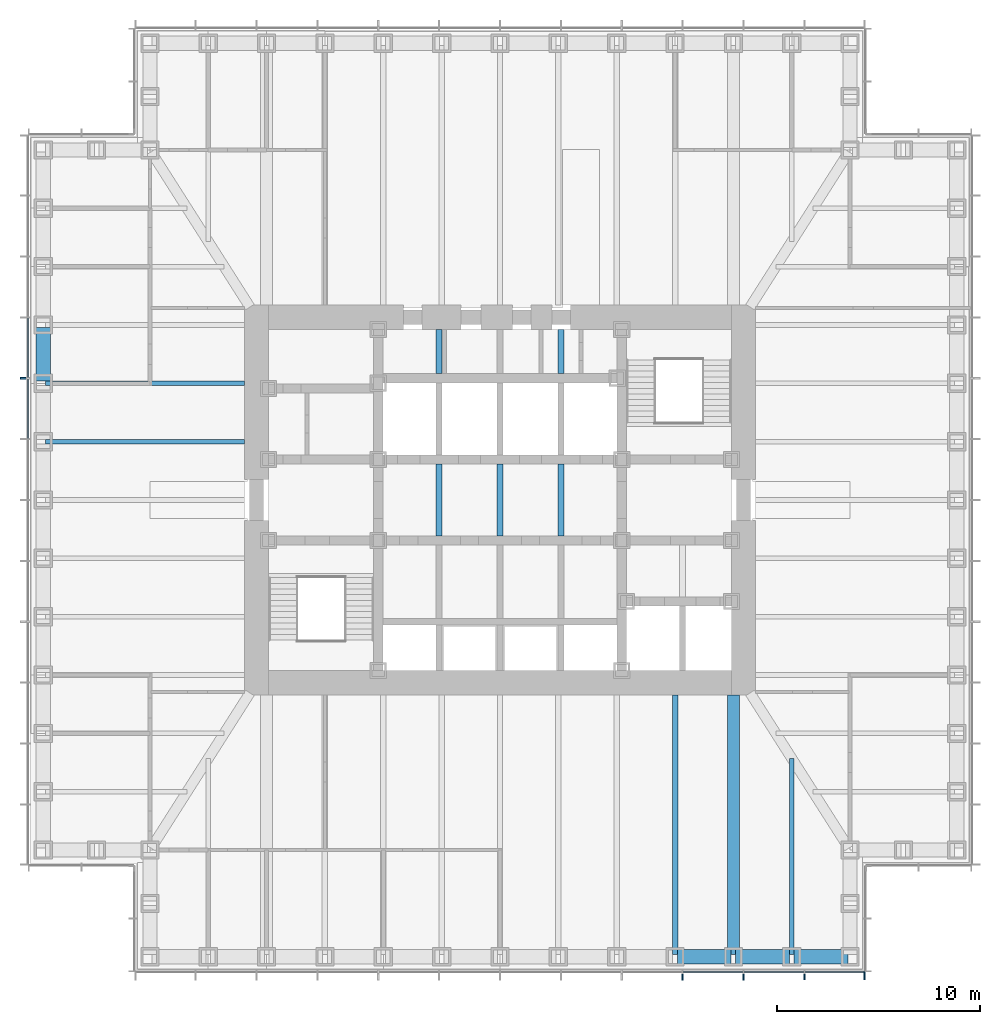
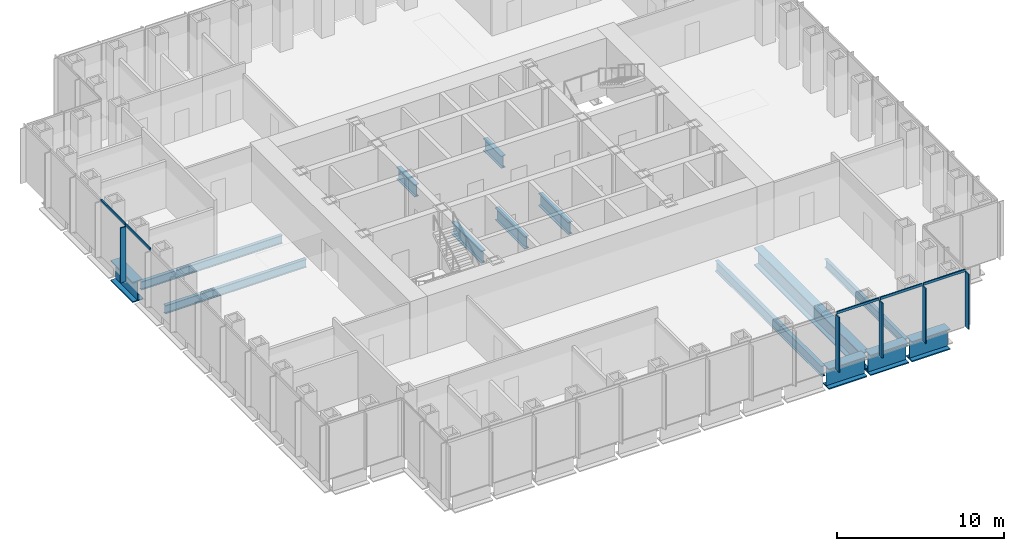
# One storey, part 3 of 17: 14 beams, 10 members, 2 elements without a shape of their own.
"""IFC4 building model written with IfcOpenShell, lengths in metres."""

import ifcopenshell
import ifcopenshell.guid

model = None  # the IFC model being written
_history = None  # IfcOwnerHistory: only IFC2X3 demands one
_inside = {}  # id of a spatial element -> (the spatial element, [elements in it])
_under = {}  # id of a project, library or spatial element -> (it, [spatial elements below it])
_declared = {}  # id of a project -> (the project, [libraries it declares])
_typed = {}  # id of a type object -> (the type object, [elements of that type])
_made_of = {}  # id of a material, layer set ... -> (it, [elements and type objects made of it])


def new_model(schema):
    """Start an empty IFC model of exactly this schema.

    Asked for "IFC4X3", IfcOpenShell would pick the latest addendum, in which some entities
    have other attributes; the version numbers below select the first issue.
    IFC2X3 requires an IfcOwnerHistory on every rooted entity: one is made here for all.
    """
    global model, _history
    if schema == "IFC4X3":
        model = ifcopenshell.file(schema_version=(4, 3, 0, 0))
    else:
        model = ifcopenshell.file(schema=schema)
    _inside.clear()
    _under.clear()
    _declared.clear()
    _typed.clear()
    _made_of.clear()
    _history = None
    if model.schema == "IFC2X3":
        org = make("IfcOrganization", Name="unknown")
        user = make(
            "IfcPersonAndOrganization",
            ThePerson=make("IfcPerson", FamilyName="unknown"),
            TheOrganization=org,
        )
        app = make(
            "IfcApplication",
            ApplicationDeveloper=org,
            Version="unknown",
            ApplicationFullName="unknown",
            ApplicationIdentifier="unknown",
        )
        _history = make(
            "IfcOwnerHistory",
            OwningUser=user,
            OwningApplication=app,
            ChangeAction="ADDED",
            CreationDate=0,
        )
    return model


def make(cls, **values):
    """One entity of the class cls with the attributes given. An attribute that is None is left unset."""
    return model.create_entity(
        cls, **{name: value for name, value in values.items() if value is not None}
    )


def rooted(cls, **values):
    """An entity with a GlobalId (a new one), such as an element, a storey or a relation."""
    return make(cls, GlobalId=ifcopenshell.guid.new(), OwnerHistory=_history, **values)


def si_unit(unit_type, name, prefix=None):
    """IfcSIUnit, for example si_unit("LENGTHUNIT", "METRE", prefix="MILLI")."""
    return make("IfcSIUnit", UnitType=unit_type, Prefix=prefix, Name=name)


def assignment(units):
    """IfcUnitAssignment: the units of a project."""
    return None if units is None else make("IfcUnitAssignment", Units=units)


def point(xyz):
    """IfcCartesianPoint."""
    return None if xyz is None else make("IfcCartesianPoint", Coordinates=xyz)


def direction(xyz):
    """IfcDirection."""
    return None if xyz is None else make("IfcDirection", DirectionRatios=xyz)


def frame(location, z_axis=None, x_axis=None):
    """IfcAxis2Placement3D, a coordinate frame: its origin and axes. An axis left out is left unset."""
    return make(
        "IfcAxis2Placement3D",
        Location=point(location),
        Axis=direction(z_axis),
        RefDirection=direction(x_axis),
    )


def frame_2d(location, x_axis=None):
    """IfcAxis2Placement2D, a coordinate frame in the plane: its origin and x axis."""
    return make(
        "IfcAxis2Placement2D", Location=point(location), RefDirection=direction(x_axis)
    )


def origin():
    """The frame at (0, 0, 0) with its axes left unset."""
    return frame((0.0, 0.0, 0.0))


def origin_2d():
    """The frame at (0, 0) in the plane with its x axis left unset."""
    return frame_2d((0.0, 0.0))


def place(relative_to, where):
    """IfcLocalPlacement: puts the frame where relative to a parent placement (None: the world)."""
    return make(
        "IfcLocalPlacement", PlacementRelTo=relative_to, RelativePlacement=where
    )


def context(
    kind, dimensions, precision=None, world=None, true_north=None, identifier=None
):
    """IfcGeometricRepresentationContext, for example the 3D "Model" context."""
    return make(
        "IfcGeometricRepresentationContext",
        ContextIdentifier=identifier,
        ContextType=kind,
        CoordinateSpaceDimension=dimensions,
        Precision=precision,
        WorldCoordinateSystem=world,
        TrueNorth=true_north,
    )


def subcontext(parent, identifier, kind, view, scale=None):
    """IfcGeometricRepresentationSubContext, for example "Body" below "Model"."""
    return make(
        "IfcGeometricRepresentationSubContext",
        ContextIdentifier=identifier,
        ContextType=kind,
        ParentContext=parent,
        TargetScale=scale,
        TargetView=view,
    )


def project(units=None, contexts=None):
    """IfcProject with its units and contexts."""
    return rooted(
        "IfcProject",
        Name="project",
        RepresentationContexts=contexts,
        UnitsInContext=assignment(units),
    )


def spatial(cls, under=None, at=None, **own):
    """A site, building, storey or space (cls), placed at a placement, below another one or the project."""
    s = rooted(cls, ObjectPlacement=at, **own)
    if under is not None:
        _under.setdefault(under.id(), (under, []))[1].append(s)
    return s


def profile(cls, at=None, kind="AREA", **sizes):
    """A parametric profile (cls). Its sizes go by their IFC names, for example OverallWidth=200.0."""
    return make(cls, ProfileType=kind, Position=at, **sizes)


def rectangle(**sizes):
    """IfcRectangleProfileDef."""
    return profile("IfcRectangleProfileDef", **sizes)


def i_section(**sizes):
    """IfcIShapeProfileDef."""
    return profile("IfcIShapeProfileDef", **sizes)


def extrude(swept, where, along, depth):
    """IfcExtrudedAreaSolid: the profile swept, set in the frame where, extruded along a direction by depth."""
    return make(
        "IfcExtrudedAreaSolid",
        SweptArea=swept,
        Position=where,
        ExtrudedDirection=direction(along),
        Depth=depth,
    )


def shape(context_of_items, identifier, shape_type, items):
    """IfcShapeRepresentation: the items that make up one representation, for example the "Body"."""
    return make(
        "IfcShapeRepresentation",
        ContextOfItems=context_of_items,
        RepresentationIdentifier=identifier,
        RepresentationType=shape_type,
        Items=items,
    )


def material(Name=None, Category=None):
    """IfcMaterial."""
    return make("IfcMaterial", Name=Name, Category=Category)


def material_profile(
    of_material, cross_section, Name=None, Category=None, Priority=None
):
    """IfcMaterialProfile: a cross section and its material."""
    return make(
        "IfcMaterialProfile",
        Name=Name,
        Material=of_material,
        Profile=cross_section,
        Priority=Priority,
        Category=Category,
    )


def profile_set(profiles, Name=None, composite=None):
    """IfcMaterialProfileSet."""
    return make(
        "IfcMaterialProfileSet",
        Name=Name,
        MaterialProfiles=profiles,
        CompositeProfile=composite,
    )


def made_of(thing, what):
    """Note that an element or type object is made of a material, layer set ...; save() writes the relation."""
    if what is not None:
        _made_of.setdefault(what.id(), (what, []))[1].append(thing)
    return thing


def type_object(cls, material=None, **own):
    """A type object (cls), such as IfcWallType, which elements share."""
    return made_of(rooted(cls, **own), material)


def element(
    cls,
    number,
    at=None,
    inside=None,
    cuts=None,
    type_object=None,
    material=None,
    context=None,
    identifier="Body",
    shape_type=None,
    held_by="IfcProductDefinitionShape",
    body=None,
    shapes=None,
    **own,
):
    """One element of the class cls, such as IfcWall. Its Tag is "e" and its number.

    at: its placement. inside: the storey or other place that contains it. cuts: it is an
    opening in that element (IfcRelVoidsElement). A single representation is given by context,
    identifier, shape_type and body (its items); several are given by shapes. held_by: the class
    of the entity that holds the representations. save() writes the other relations.
    """
    e = rooted(cls, Tag="e%d" % number, ObjectPlacement=at, **own)
    if body is not None:
        shapes = [shape(context, identifier, shape_type, body)]
    if shapes is not None:
        e.Representation = make(held_by, Representations=shapes)
    if inside is not None:
        _inside.setdefault(inside.id(), (inside, []))[1].append(e)
    if cuts is not None:
        rooted(
            "IfcRelVoidsElement", RelatingBuildingElement=cuts, RelatedOpeningElement=e
        )
    if type_object is not None:
        _typed.setdefault(type_object.id(), (type_object, []))[1].append(e)
    return made_of(e, material)


def aggregate(whole, parts):
    """IfcRelAggregates: a whole, such as a stair, and the parts it consists of."""
    return rooted("IfcRelAggregates", RelatingObject=whole, RelatedObjects=parts)


def save(model, path):
    """Write the relations noted so far, then the file.

    IfcRelAggregates (storeys below a building ...), IfcRelContainedInSpatialStructure (elements
    in a storey), IfcRelDefinesByType, IfcRelAssociatesMaterial and IfcRelDeclares: one each for
    every whole, place, type object, material and project.
    """
    for whole, parts in _under.values():
        aggregate(whole, parts)
    for where, things in _inside.values():
        rooted(
            "IfcRelContainedInSpatialStructure",
            RelatedElements=things,
            RelatingStructure=where,
        )
    for kind, things in _typed.values():
        rooted("IfcRelDefinesByType", RelatedObjects=things, RelatingType=kind)
    for what, things in _made_of.values():
        rooted("IfcRelAssociatesMaterial", RelatedObjects=things, RelatingMaterial=what)
    for by, libraries in _declared.values():
        rooted("IfcRelDeclares", RelatingContext=by, RelatedDefinitions=libraries)
    model.write(path)


model = new_model("IFC4")

# Units and contexts
model_context = context("Model", 3, precision=1e-05, world=origin(), true_north=direction((0.0, 1.0)))
body_context = subcontext(model_context, "Body", "Model", "MODEL_VIEW")
ifc_project = project(units=[si_unit("LENGTHUNIT", "METRE"), si_unit("AREAUNIT", "SQUARE_METRE"), si_unit("VOLUMEUNIT", "CUBIC_METRE"), si_unit("PLANEANGLEUNIT", "RADIAN"), si_unit("MASSUNIT", "GRAM", prefix="KILO")], contexts=[model_context])

# Site, building, storey
site_placement = place(None, origin())
site = spatial("IfcSite", under=ifc_project, at=site_placement, CompositionType="ELEMENT")
building_placement = place(site_placement, origin())
building = spatial("IfcBuilding", under=site, at=building_placement, Name="Daluyong Arena Tower", CompositionType="ELEMENT")
storey_placement = place(building_placement, frame((0.0, 0.0, 158.5)))
storey = spatial("IfcBuildingStorey", under=building, at=storey_placement, Name="L35", CompositionType="ELEMENT", Elevation=158.5)

# Curtain wall, members
ifc_material_1 = material(Name="Bronze anodised aluminium and glass", Category="aluminium")
curtain_wall_type = type_object("IfcCurtainWallType", Name="Curtain wall CW2", PredefinedType="USERDEFINED", material=ifc_material_1)
curtain_wall_1_placement = place(storey_placement, origin())
curtain_wall_1 = element("IfcCurtainWall", 1, at=curtain_wall_1_placement, inside=storey, type_object=curtain_wall_type, Name="curtain wall L35 S", ObjectType="UNITISED CURTAIN WALL", PredefinedType="USERDEFINED")
ifc_material_2 = material(Name="Bronze anodised aluminium fin", Category="aluminium")
ifc_material_profile_1 = material_profile(ifc_material_2, rectangle(XDim=0.39990234375, YDim=0.080078125, at=origin_2d()))
ifc_profile_set_1 = profile_set([ifc_material_profile_1], Name="Bronze anodised aluminium fin")
member_type_1 = type_object("IfcMemberType", Name="CW2 bronze fin 400x80", PredefinedType="MULLION", material=ifc_profile_set_1)
member_1_placement = place(storey_placement, frame((65.0, 56.550048828125, 0.0), z_axis=(0.0, 0.0, 1.0), x_axis=(0.0, 1.0, 0.0)))
member_1 = element("IfcMember", 2, at=member_1_placement, type_object=member_type_1, Name="curtain wall L35 S fin 10", PredefinedType="MULLION", context=body_context, shape_type="SweptSolid", body=[
    extrude(rectangle(XDim=0.39990234375, YDim=0.080078125, at=origin_2d()), origin(), (0.0, 0.0, 1.0), 4.02001953125),
])
member_2_placement = place(storey_placement, frame((68.0, 56.550048828125, 0.0), z_axis=(0.0, 0.0, 1.0), x_axis=(0.0, 1.0, 0.0)))
member_2 = element("IfcMember", 3, at=member_2_placement, type_object=member_type_1, Name="curtain wall L35 S fin 11", PredefinedType="MULLION", context=body_context, shape_type="SweptSolid", body=[
    extrude(rectangle(XDim=0.39990234375, YDim=0.080078125, at=origin_2d()), origin(), (0.0, 0.0, 1.0), 4.02001953125),
])
member_3_placement = place(storey_placement, frame((71.0, 56.550048828125, 0.0), z_axis=(0.0, 0.0, 1.0), x_axis=(0.0, 1.0, 0.0)))
member_3 = element("IfcMember", 4, at=member_3_placement, type_object=member_type_1, Name="curtain wall L35 S fin 12", PredefinedType="MULLION", context=body_context, shape_type="SweptSolid", body=[
    extrude(rectangle(XDim=0.39990234375, YDim=0.080078125, at=origin_2d()), origin(), (0.0, 0.0, 1.0), 4.02001953125),
])
member_4_placement = place(storey_placement, frame((73.9599609375, 56.550048828125, 0.0), z_axis=(0.0, 0.0, 1.0), x_axis=(0.0, 1.0, 0.0)))
member_4 = element("IfcMember", 5, at=member_4_placement, type_object=member_type_1, Name="curtain wall L35 S fin 13", PredefinedType="MULLION", context=body_context, shape_type="SweptSolid", body=[
    extrude(rectangle(XDim=0.39990234375, YDim=0.080078125, at=origin_2d()), origin(), (0.0, 0.0, 1.0), 4.02001953125),
])

# Curtain wall, member
curtain_wall_2_placement = place(storey_placement, origin())
curtain_wall_2 = element("IfcCurtainWall", 6, at=curtain_wall_2_placement, inside=storey, type_object=curtain_wall_type, Name="curtain wall L35 W", ObjectType="UNITISED CURTAIN WALL", PredefinedType="USERDEFINED")
member_5_placement = place(storey_placement, frame((32.550048828125, 86.0, 0.0), z_axis=(0.0, 0.0, 1.0), x_axis=(1.0, 0.0, 0.0)))
member_5 = element("IfcMember", 7, at=member_5_placement, type_object=member_type_1, Name="curtain wall L35 W fin 5", PredefinedType="MULLION", context=body_context, shape_type="SweptSolid", body=[
    extrude(rectangle(XDim=0.39990234375, YDim=0.080078125, at=origin_2d()), origin(), (0.0, 0.0, 1.0), 4.02001953125),
])

# Member
ifc_material_3 = material(Name="Bronze anodised aluminium", Category="aluminium")
ifc_material_profile_2 = material_profile(ifc_material_3, rectangle(XDim=0.080078125, YDim=0.179931640625, at=origin_2d()))
ifc_profile_set_2 = profile_set([ifc_material_profile_2], Name="Bronze anodised aluminium")
member_type_2 = type_object("IfcMemberType", Name="CW2 stack transom 180x80", PredefinedType="USERDEFINED", material=ifc_profile_set_2)
member_6_placement = place(storey_placement, frame((65.0400390625, 56.75, 4.110107421875), z_axis=(1.0, 0.0, 0.0), x_axis=(0.0, 1.0, 0.0)))
member_6 = element("IfcMember", 8, at=member_6_placement, type_object=member_type_2, Name="curtain wall L35 S transom 10", ObjectType="TRANSOM", PredefinedType="USERDEFINED", context=body_context, shape_type="SweptSolid", body=[
    extrude(rectangle(XDim=0.080078125, YDim=0.179931640625, at=origin_2d()), origin(), (0.0, 0.0, 1.0), 2.919921875),
])

member_7_placement = place(storey_placement, frame((68.0400390625, 56.75, 4.110107421875), z_axis=(1.0, 0.0, 0.0), x_axis=(0.0, 1.0, 0.0)))
member_7 = element("IfcMember", 9, at=member_7_placement, type_object=member_type_2, Name="curtain wall L35 S transom 11", ObjectType="TRANSOM", PredefinedType="USERDEFINED", context=body_context, shape_type="SweptSolid", body=[
    extrude(rectangle(XDim=0.080078125, YDim=0.179931640625, at=origin_2d()), origin(), (0.0, 0.0, 1.0), 2.919921875),
])

member_8_placement = place(storey_placement, frame((71.0400390625, 56.75, 4.110107421875), z_axis=(1.0, 0.0, 0.0), x_axis=(0.0, 1.0, 0.0)))
member_8 = element("IfcMember", 10, at=member_8_placement, type_object=member_type_2, Name="curtain wall L35 S transom 12", ObjectType="TRANSOM", PredefinedType="USERDEFINED", context=body_context, shape_type="SweptSolid", body=[
    extrude(rectangle(XDim=0.080078125, YDim=0.179931640625, at=origin_2d()), origin(), (0.0, 0.0, 1.0), 2.8798828125),
])

aggregate(curtain_wall_1, [member_1, member_2, member_3, member_4, member_6, member_7, member_8])

member_9_placement = place(storey_placement, frame((32.75, 88.9599609375, 4.110107421875), z_axis=(0.0, -1.0, 0.0), x_axis=(1.0, 0.0, 0.0)))
member_9 = element("IfcMember", 11, at=member_9_placement, type_object=member_type_2, Name="curtain wall L35 W transom 4", ObjectType="TRANSOM", PredefinedType="USERDEFINED", context=body_context, shape_type="SweptSolid", body=[
    extrude(rectangle(XDim=0.080078125, YDim=0.179931640625, at=origin_2d()), origin(), (0.0, 0.0, 1.0), 2.919921875),
])

member_10_placement = place(storey_placement, frame((32.75, 85.9599609375, 4.110107421875), z_axis=(0.0, -1.0, 0.0), x_axis=(1.0, 0.0, 0.0)))
member_10 = element("IfcMember", 12, at=member_10_placement, type_object=member_type_2, Name="curtain wall L35 W transom 5", ObjectType="TRANSOM", PredefinedType="USERDEFINED", context=body_context, shape_type="SweptSolid", body=[
    extrude(rectangle(XDim=0.080078125, YDim=0.179931640625, at=origin_2d()), origin(), (0.0, 0.0, 1.0), 2.919921875),
])

aggregate(curtain_wall_2, [member_5, member_9, member_10])

# Beams
ifc_material_4 = material(Name="Steel ASTM A572 Grade 50", Category="steel")
ifc_material_profile_3 = material_profile(ifc_material_4, i_section(OverallWidth=0.60009765625, OverallDepth=1.300048828125, WebThickness=0.035, FlangeThickness=0.07, at=origin_2d()))
ifc_profile_set_3 = profile_set([ifc_material_profile_3], Name="Steel ASTM A572 Grade 50")
beam_type_1 = type_object("IfcBeamType", Name="Floor beam TB1300X600", PredefinedType="BEAM", material=ifc_profile_set_3)
beam_1_placement = place(storey_placement, frame((67.5, 57.614990234375, -0.81005859375), z_axis=(0.0, 1.0, 0.0), x_axis=(-1.0, 0.0, 0.0)))
element("IfcBeam", 13, at=beam_1_placement, inside=storey, type_object=beam_type_1, Name="floor beam FB7", PredefinedType="BEAM", context=body_context, shape_type="SweptSolid", body=[
    extrude(i_section(OverallWidth=0.60009765625, OverallDepth=1.300048828125, WebThickness=0.035, FlangeThickness=0.07, at=origin_2d()), origin(), (0.0, 0.0, 1.0), 12.784912109375),
])
ifc_material_5 = material(Name="Steel ASTM A992 Grade 50", Category="steel")
ifc_material_profile_4 = material_profile(ifc_material_5, i_section(OverallWidth=0.22900390625, OverallDepth=0.612060546875, WebThickness=0.011962890625, FlangeThickness=0.01953125, at=origin_2d()))
ifc_profile_set_4 = profile_set([ifc_material_profile_4], Name="Steel ASTM A992 Grade 50")
beam_type_2 = type_object("IfcBeamType", Name="Floor beam W24X84", PredefinedType="BEAM", material=ifc_profile_set_4)
beam_2_placement = place(storey_placement, frame((70.375, 57.614990234375, -0.466064453125), z_axis=(0.0, 1.0, 0.0), x_axis=(-1.0, 0.0, 0.0)))
element("IfcBeam", 14, at=beam_2_placement, inside=storey, type_object=beam_type_2, Name="floor beam FB3", PredefinedType="BEAM", context=body_context, shape_type="SweptSolid", body=[
    extrude(i_section(OverallWidth=0.22900390625, OverallDepth=0.612060546875, WebThickness=0.011962890625, FlangeThickness=0.01953125, at=origin_2d()), origin(), (0.0, 0.0, 1.0), 9.65283203125),
])
for number, where, z_axis, x_axis, name in (
    (15, (33.614990234375, 85.75, -0.466064453125), (1.0, 0.0, 0.0), (0.0, 1.0, 0.0), "floor beam FB3"),
    (16, (33.614990234375, 82.875, -0.466064453125), (1.0, 0.0, 0.0), (0.0, 1.0, 0.0), "floor beam FB3"),
):
    element("IfcBeam", number, at=place(storey_placement, frame(where, z_axis=z_axis, x_axis=x_axis)), inside=storey, type_object=beam_type_2, Name=name, PredefinedType="BEAM", context=body_context, shape_type="SweptSolid", body=[
        extrude(i_section(OverallWidth=0.22900390625, OverallDepth=0.612060546875, WebThickness=0.011962890625, FlangeThickness=0.01953125, at=origin_2d()), origin(), (0.0, 0.0, 1.0), 9.784912109375),
    ])
ifc_material_6 = material(Name="Steel ASTM A992 Grade 50", Category="steel")
ifc_material_profile_5 = material_profile(ifc_material_6, i_section(OverallWidth=0.2666015625, OverallDepth=0.761962890625, WebThickness=0.014404296875, FlangeThickness=0.021484375, at=origin_2d()))
ifc_profile_set_5 = profile_set([ifc_material_profile_5], Name="Steel ASTM A992 Grade 50")
beam_type_3 = type_object("IfcBeamType", Name="Floor beam W30X116", PredefinedType="BEAM", material=ifc_profile_set_5)
beam_3_placement = place(storey_placement, frame((64.625, 57.614990234375, -0.541015625), z_axis=(0.0, 1.0, 0.0), x_axis=(-1.0, 0.0, 0.0)))
element("IfcBeam", 17, at=beam_3_placement, inside=storey, type_object=beam_type_3, Name="floor beam FB4", PredefinedType="BEAM", context=body_context, shape_type="SweptSolid", body=[
    extrude(i_section(OverallWidth=0.2666015625, OverallDepth=0.761962890625, WebThickness=0.014404296875, FlangeThickness=0.021484375, at=origin_2d()), origin(), (0.0, 0.0, 1.0), 12.784912109375),
])
ifc_material_7 = material(Name="Steel ASTM A572 Grade 50", Category="steel")
ifc_material_profile_6 = material_profile(ifc_material_7, i_section(OverallWidth=0.300048828125, OverallDepth=0.89990234375, WebThickness=0.025, FlangeThickness=0.04, at=origin_2d()))
ifc_profile_set_6 = profile_set([ifc_material_profile_6], Name="Steel ASTM A572 Grade 50")
beam_type_4 = type_object("IfcBeamType", Name="Lift divider beam PG900X300", PredefinedType="BEAM", material=ifc_profile_set_6)
beam_4_placement = place(storey_placement, frame((53.0, 78.22509765625, -0.610107421875), z_axis=(0.0, 1.0, 0.0), x_axis=(-1.0, 0.0, 0.0)))
element("IfcBeam", 18, at=beam_4_placement, inside=storey, type_object=beam_type_4, Name="lift divider beam DB1", PredefinedType="BEAM", context=body_context, shape_type="SweptSolid", body=[
    extrude(i_section(OverallWidth=0.300048828125, OverallDepth=0.89990234375, WebThickness=0.025, FlangeThickness=0.04, at=origin_2d()), origin(), (0.0, 0.0, 1.0), 3.5498046875),
])
beam_5_placement = place(storey_placement, frame((53.0, 86.22509765625, -0.610107421875), z_axis=(0.0, 1.0, 0.0), x_axis=(-1.0, 0.0, 0.0)))
element("IfcBeam", 19, at=beam_5_placement, inside=storey, type_object=beam_type_4, Name="lift divider beam DB1", PredefinedType="BEAM", context=body_context, shape_type="SweptSolid", body=[
    extrude(i_section(OverallWidth=0.300048828125, OverallDepth=0.89990234375, WebThickness=0.025, FlangeThickness=0.04, at=origin_2d()), origin(), (0.0, 0.0, 1.0), 2.1748046875),
])
for number, where, z_axis, x_axis, name in (
    (20, (56.0, 78.22509765625, -0.610107421875), (0.0, 1.0, 0.0), (-1.0, 0.0, 0.0), "lift divider beam DB1"),
    (21, (59.0, 78.22509765625, -0.610107421875), (0.0, 1.0, 0.0), (-1.0, 0.0, 0.0), "lift divider beam DB1"),
):
    element("IfcBeam", number, at=place(storey_placement, frame(where, z_axis=z_axis, x_axis=x_axis)), inside=storey, type_object=beam_type_4, Name=name, PredefinedType="BEAM", context=body_context, shape_type="SweptSolid", body=[
        extrude(i_section(OverallWidth=0.300048828125, OverallDepth=0.89990234375, WebThickness=0.025, FlangeThickness=0.04, at=origin_2d()), origin(), (0.0, 0.0, 1.0), 3.5498046875),
    ])
beam_6_placement = place(storey_placement, frame((59.0, 86.22509765625, -0.610107421875), z_axis=(0.0, 1.0, 0.0), x_axis=(-1.0, 0.0, 0.0)))
element("IfcBeam", 22, at=beam_6_placement, inside=storey, type_object=beam_type_4, Name="lift divider beam DB1", PredefinedType="BEAM", context=body_context, shape_type="SweptSolid", body=[
    extrude(i_section(OverallWidth=0.300048828125, OverallDepth=0.89990234375, WebThickness=0.025, FlangeThickness=0.04, at=origin_2d()), origin(), (0.0, 0.0, 1.0), 2.1748046875),
])
ifc_material_8 = material(Name="Steel ASTM A572 Grade 50", Category="steel")
ifc_material_profile_7 = material_profile(ifc_material_8, i_section(OverallWidth=0.699951171875, OverallDepth=1.5, WebThickness=0.04, FlangeThickness=0.08, at=origin_2d()))
ifc_profile_set_7 = profile_set([ifc_material_profile_7], Name="Steel ASTM A572 Grade 50")
beam_type_5 = type_object("IfcBeamType", Name="Spandrel Z2 PG1500X700", PredefinedType="SPANDREL", material=ifc_profile_set_7)
for number, where, z_axis, x_axis, name in (
    (23, (64.739990234375, 57.5, -0.909912109375), (1.0, 0.0, 0.0), (0.0, 1.0, 0.0), "spandrel z2 SB6"),
    (24, (67.614990234375, 57.5, -0.909912109375), (1.0, 0.0, 0.0), (0.0, 1.0, 0.0), "spandrel z2 SB6"),
    (25, (70.489990234375, 57.5, -0.909912109375), (1.0, 0.0, 0.0), (0.0, 1.0, 0.0), "spandrel z2 SB6"),
    (26, (33.5, 88.510009765625, -0.909912109375), (0.0, -1.0, 0.0), (1.0, 0.0, 0.0), "spandrel z2 SB6"),
):
    element("IfcBeam", number, at=place(storey_placement, frame(where, z_axis=z_axis, x_axis=x_axis)), inside=storey, type_object=beam_type_5, Name=name, PredefinedType="SPANDREL", context=body_context, shape_type="SweptSolid", body=[
        extrude(i_section(OverallWidth=0.699951171875, OverallDepth=1.5, WebThickness=0.04, FlangeThickness=0.08, at=origin_2d()), origin(), (0.0, 0.0, 1.0), 2.64501953125),
    ])

save(model, "model.ifc")
